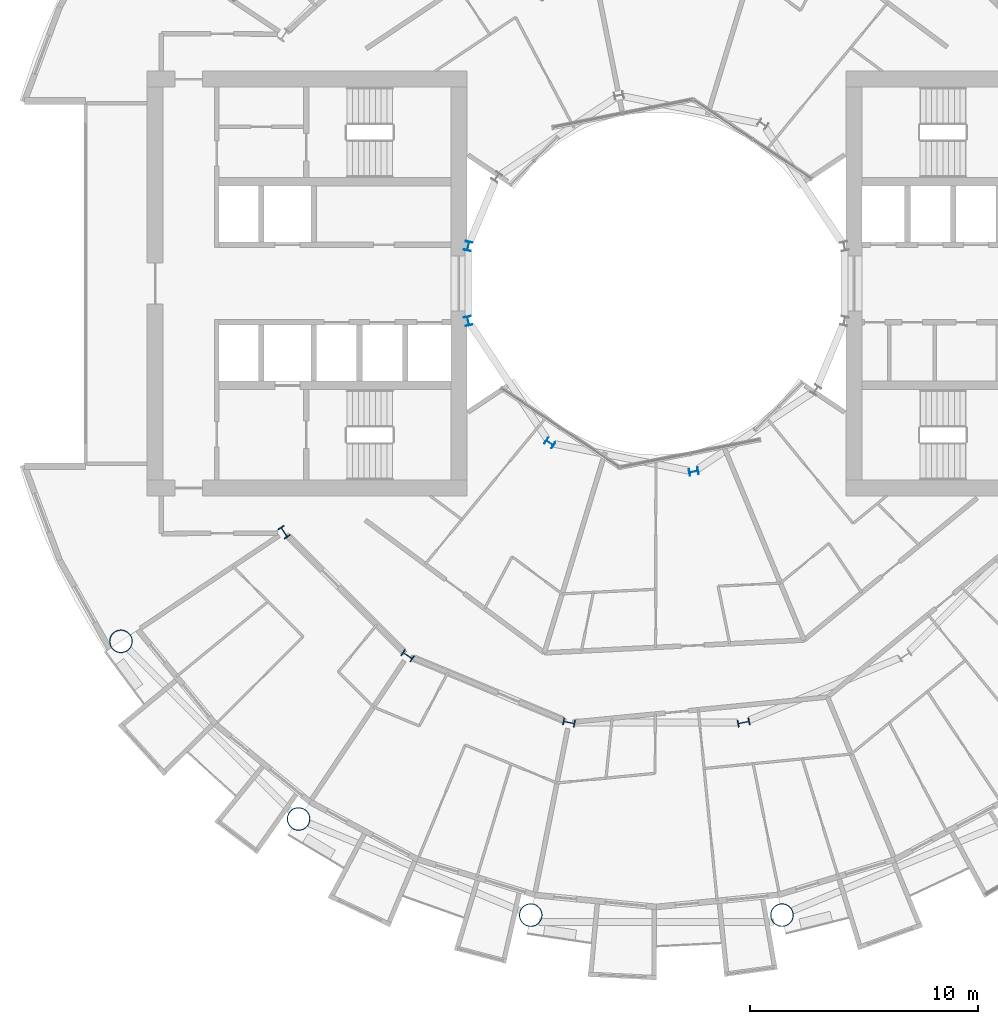
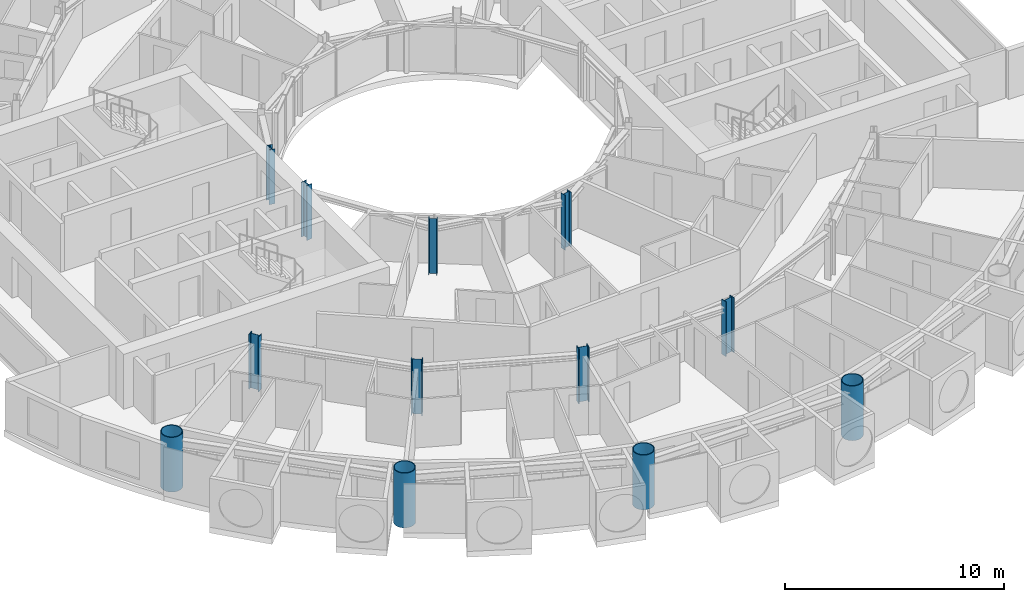
# One storey, part 1 of 26: 12 columns.
"""IFC4 building model written with IfcOpenShell, lengths in metres."""

from ifc_helpers import new_model, si_unit, direction, frame, origin, origin_2d, place, context, subcontext, project, spatial, hollow_circle, i_section, extrude, material, material_profile, profile_set, type_object, element, save


model = new_model("IFC4")

# Units and contexts
model_context = context("Model", 3, precision=1e-05, world=origin(), true_north=direction((0.0, 1.0)))
body_context = subcontext(model_context, "Body", "Model", "MODEL_VIEW")
ifc_project = project(units=[si_unit("LENGTHUNIT", "METRE"), si_unit("AREAUNIT", "SQUARE_METRE"), si_unit("VOLUMEUNIT", "CUBIC_METRE"), si_unit("PLANEANGLEUNIT", "RADIAN"), si_unit("MASSUNIT", "GRAM", prefix="KILO")], contexts=[model_context])

# Site, building, storey
site_placement = place(None, origin())
site = spatial("IfcSite", under=ifc_project, at=site_placement, CompositionType="ELEMENT")
building_placement = place(site_placement, origin())
building = spatial("IfcBuilding", under=site, at=building_placement, Name="Maasbend Ring Residences", CompositionType="ELEMENT")
storey_placement = place(building_placement, frame((0.0, 0.0, 66.64990234375)))
storey = spatial("IfcBuildingStorey", under=building, at=storey_placement, Name="L18", CompositionType="ELEMENT", Elevation=66.64990234375)

# Columns
ifc_material_1 = material(Name="Composite concrete-filled steel tube S460NH / C80/95", Category="concrete")
ifc_material_profile_1 = material_profile(ifc_material_1, hollow_circle(Radius=0.508056640625, WallThickness=0.0400390625, at=origin_2d()), Name="Composite tube column CHS 1016x40")
ifc_profile_set_1 = profile_set([ifc_material_profile_1], Name="Composite concrete-filled steel tube S460NH / C80/95")
column_type_1 = type_object("IfcColumnType", Name="Composite tube column CHS 1016x40", PredefinedType="COLUMN", material=ifc_profile_set_1)
for number, where, z_axis, x_axis, name in (
    (1, (-23.447509765625, -15.6669921875, 0.0), (0.0, 0.0, 1.0), (1.0, 0.0, 0.0), "Outer column R10"),
    (2, (-15.6669921875, -23.447509765625, 0.0), (0.0, 0.0, 1.0), (1.0, 0.0, 0.0), "Outer column R11"),
    (3, (-5.50146484375, -27.658203125, 0.0), (0.0, 0.0, 1.0), (1.0, 0.0, 0.0), "Outer column R12"),
    (4, (5.50146484375, -27.658203125, 0.0), (0.0, 0.0, 1.0), (1.0, 0.0, 0.0), "Outer column R13"),
):
    element("IfcColumn", number, at=place(storey_placement, frame(where, z_axis=z_axis, x_axis=x_axis)), inside=storey, type_object=column_type_1, Name=name, PredefinedType="COLUMN", context=body_context, shape_type="SweptSolid", body=[
        extrude(hollow_circle(Radius=0.508056640625, WallThickness=0.0400390625, at=origin_2d()), origin(), (0.0, 0.0, 1.0), 3.050048828125),
    ])
ifc_material_2 = material(Name="Steel S355J2", Category="steel")
ifc_material_profile_2 = material_profile(ifc_material_2, i_section(OverallWidth=0.300048828125, OverallDepth=0.39990234375, WebThickness=0.013427734375, FlangeThickness=0.02392578125, FilletRadius=0.027099609375, at=origin_2d()), Name="HEB 400")
ifc_profile_set_2 = profile_set([ifc_material_profile_2], Name="Steel S355J2")
column_type_2 = type_object("IfcColumnType", Name="Steel column HEB 400", PredefinedType="COLUMN", material=ifc_profile_set_2)
for number, where, z_axis, x_axis, name in (
    (5, (-8.238525390625, 1.638916015625, 0.0), (0.0, 0.0, 1.0), (-0.980785280403, 0.195090322016, 0.0), "Well ring column R8"),
    (6, (-8.238525390625, -1.638916015625, 0.0), (0.0, 0.0, 1.0), (-0.980785280403, -0.195090322016, 0.0), "Well ring column R9"),
    (7, (-4.666748046875, -6.984375, 0.0), (0.0, 0.0, 1.0), (-0.55557023302, -0.831469612303, 0.0), "Well ring column R11"),
    (8, (1.638916015625, -8.238525390625, 0.0), (0.0, 0.0, 1.0), (0.195090322016, -0.980785280403, 0.0), "Well ring column R13"),
):
    element("IfcColumn", number, at=place(storey_placement, frame(where, z_axis=z_axis, x_axis=x_axis)), inside=storey, type_object=column_type_2, Name=name, PredefinedType="COLUMN", context=body_context, shape_type="SweptSolid", body=[
        extrude(i_section(OverallWidth=0.300048828125, OverallDepth=0.39990234375, WebThickness=0.013427734375, FlangeThickness=0.02392578125, FilletRadius=0.027099609375, at=origin_2d()), origin(), (0.0, 0.0, 1.0), 3.050048828125),
    ])
ifc_material_3 = material(Name="Steel S460M", Category="steel")
ifc_material_profile_3 = material_profile(ifc_material_3, i_section(OverallWidth=0.305908203125, OverallDepth=0.52392578125, WebThickness=0.02099609375, FlangeThickness=0.0400390625, FilletRadius=0.027099609375, at=origin_2d()), Name="HEM 500")
ifc_profile_set_3 = profile_set([ifc_material_profile_3], Name="Steel S460M")
column_type_3 = type_object("IfcColumnType", Name="Steel column HEM 500", PredefinedType="COLUMN", material=ifc_profile_set_3)
for number, where, z_axis, x_axis, name in (
    (9, (-16.296875, -10.88916015625, 0.0), (0.0, 0.0, 1.0), (-0.831469612303, -0.55557023302, 0.0), "Corridor ring column R10"),
    (10, (-10.88916015625, -16.296875, 0.0), (0.0, 0.0, 1.0), (-0.55557023302, -0.831469612303, 0.0), "Corridor ring column R11"),
    (11, (-3.82373046875, -19.223388671875, 0.0), (0.0, 0.0, 1.0), (-0.195090322016, -0.980785280403, 0.0), "Corridor ring column R12"),
    (12, (3.82373046875, -19.223388671875, 0.0), (0.0, 0.0, 1.0), (0.195090322016, -0.980785280403, 0.0), "Corridor ring column R13"),
):
    element("IfcColumn", number, at=place(storey_placement, frame(where, z_axis=z_axis, x_axis=x_axis)), inside=storey, type_object=column_type_3, Name=name, PredefinedType="COLUMN", context=body_context, shape_type="SweptSolid", body=[
        extrude(i_section(OverallWidth=0.305908203125, OverallDepth=0.52392578125, WebThickness=0.02099609375, FlangeThickness=0.0400390625, FilletRadius=0.027099609375, at=origin_2d()), origin(), (0.0, 0.0, 1.0), 3.050048828125),
    ])

save(model, "model.ifc")
